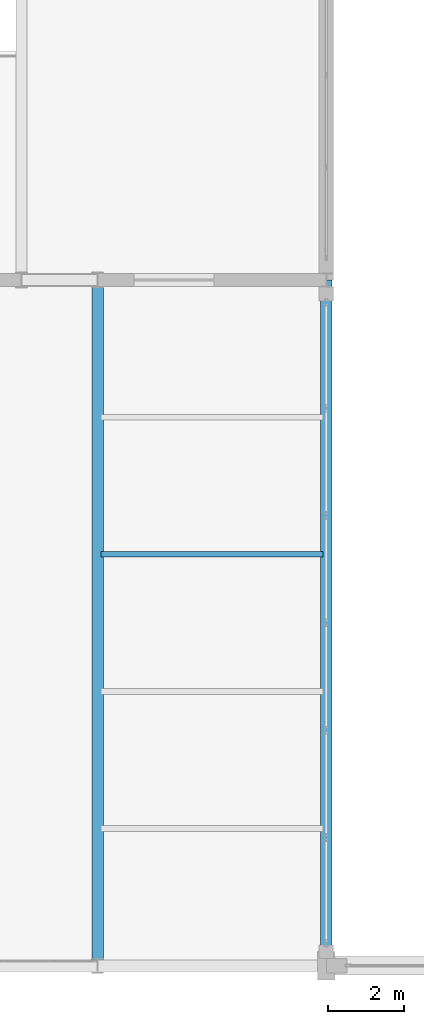
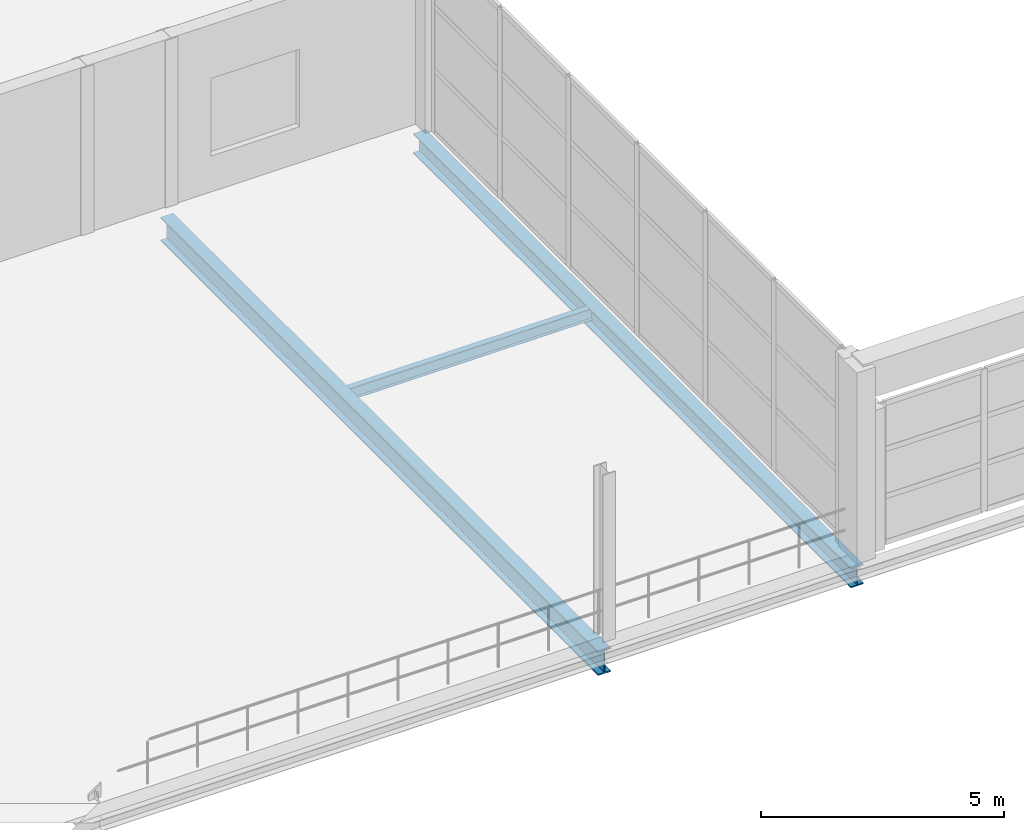
# One storey, part 39 of 147: 3 beams.
"""IFC4 building model written with IfcOpenShell, lengths in metres."""

import ifcopenshell
import ifcopenshell.guid

model = None  # the IFC model being written
_history = None  # IfcOwnerHistory: only IFC2X3 demands one
_inside = {}  # id of a spatial element -> (the spatial element, [elements in it])
_under = {}  # id of a project, library or spatial element -> (it, [spatial elements below it])
_declared = {}  # id of a project -> (the project, [libraries it declares])
_typed = {}  # id of a type object -> (the type object, [elements of that type])
_made_of = {}  # id of a material, layer set ... -> (it, [elements and type objects made of it])


def new_model(schema):
    """Start an empty IFC model of exactly this schema.

    Asked for "IFC4X3", IfcOpenShell would pick the latest addendum, in which some entities
    have other attributes; the version numbers below select the first issue.
    IFC2X3 requires an IfcOwnerHistory on every rooted entity: one is made here for all.
    """
    global model, _history
    if schema == "IFC4X3":
        model = ifcopenshell.file(schema_version=(4, 3, 0, 0))
    else:
        model = ifcopenshell.file(schema=schema)
    _inside.clear()
    _under.clear()
    _declared.clear()
    _typed.clear()
    _made_of.clear()
    _history = None
    if model.schema == "IFC2X3":
        org = make("IfcOrganization", Name="unknown")
        user = make(
            "IfcPersonAndOrganization",
            ThePerson=make("IfcPerson", FamilyName="unknown"),
            TheOrganization=org,
        )
        app = make(
            "IfcApplication",
            ApplicationDeveloper=org,
            Version="unknown",
            ApplicationFullName="unknown",
            ApplicationIdentifier="unknown",
        )
        _history = make(
            "IfcOwnerHistory",
            OwningUser=user,
            OwningApplication=app,
            ChangeAction="ADDED",
            CreationDate=0,
        )
    return model


def make(cls, **values):
    """One entity of the class cls with the attributes given. An attribute that is None is left unset."""
    return model.create_entity(
        cls, **{name: value for name, value in values.items() if value is not None}
    )


def rooted(cls, **values):
    """An entity with a GlobalId (a new one), such as an element, a storey or a relation."""
    return make(cls, GlobalId=ifcopenshell.guid.new(), OwnerHistory=_history, **values)


def si_unit(unit_type, name, prefix=None):
    """IfcSIUnit, for example si_unit("LENGTHUNIT", "METRE", prefix="MILLI")."""
    return make("IfcSIUnit", UnitType=unit_type, Prefix=prefix, Name=name)


def assignment(units):
    """IfcUnitAssignment: the units of a project."""
    return None if units is None else make("IfcUnitAssignment", Units=units)


def point(xyz):
    """IfcCartesianPoint."""
    return None if xyz is None else make("IfcCartesianPoint", Coordinates=xyz)


def direction(xyz):
    """IfcDirection."""
    return None if xyz is None else make("IfcDirection", DirectionRatios=xyz)


def frame(location, z_axis=None, x_axis=None):
    """IfcAxis2Placement3D, a coordinate frame: its origin and axes. An axis left out is left unset."""
    return make(
        "IfcAxis2Placement3D",
        Location=point(location),
        Axis=direction(z_axis),
        RefDirection=direction(x_axis),
    )


def frame_2d(location, x_axis=None):
    """IfcAxis2Placement2D, a coordinate frame in the plane: its origin and x axis."""
    return make(
        "IfcAxis2Placement2D", Location=point(location), RefDirection=direction(x_axis)
    )


def origin():
    """The frame at (0, 0, 0) with its axes left unset."""
    return frame((0.0, 0.0, 0.0))


def origin_2d():
    """The frame at (0, 0) in the plane with its x axis left unset."""
    return frame_2d((0.0, 0.0))


def place(relative_to, where):
    """IfcLocalPlacement: puts the frame where relative to a parent placement (None: the world)."""
    return make(
        "IfcLocalPlacement", PlacementRelTo=relative_to, RelativePlacement=where
    )


def context(
    kind, dimensions, precision=None, world=None, true_north=None, identifier=None
):
    """IfcGeometricRepresentationContext, for example the 3D "Model" context."""
    return make(
        "IfcGeometricRepresentationContext",
        ContextIdentifier=identifier,
        ContextType=kind,
        CoordinateSpaceDimension=dimensions,
        Precision=precision,
        WorldCoordinateSystem=world,
        TrueNorth=true_north,
    )


def subcontext(parent, identifier, kind, view, scale=None):
    """IfcGeometricRepresentationSubContext, for example "Body" below "Model"."""
    return make(
        "IfcGeometricRepresentationSubContext",
        ContextIdentifier=identifier,
        ContextType=kind,
        ParentContext=parent,
        TargetScale=scale,
        TargetView=view,
    )


def project(units=None, contexts=None):
    """IfcProject with its units and contexts."""
    return rooted(
        "IfcProject",
        Name="project",
        RepresentationContexts=contexts,
        UnitsInContext=assignment(units),
    )


def spatial(cls, under=None, at=None, **own):
    """A site, building, storey or space (cls), placed at a placement, below another one or the project."""
    s = rooted(cls, ObjectPlacement=at, **own)
    if under is not None:
        _under.setdefault(under.id(), (under, []))[1].append(s)
    return s


def profile(cls, at=None, kind="AREA", **sizes):
    """A parametric profile (cls). Its sizes go by their IFC names, for example OverallWidth=200.0."""
    return make(cls, ProfileType=kind, Position=at, **sizes)


def i_section(**sizes):
    """IfcIShapeProfileDef."""
    return profile("IfcIShapeProfileDef", **sizes)


def extrude(swept, where, along, depth):
    """IfcExtrudedAreaSolid: the profile swept, set in the frame where, extruded along a direction by depth."""
    return make(
        "IfcExtrudedAreaSolid",
        SweptArea=swept,
        Position=where,
        ExtrudedDirection=direction(along),
        Depth=depth,
    )


def shape(context_of_items, identifier, shape_type, items):
    """IfcShapeRepresentation: the items that make up one representation, for example the "Body"."""
    return make(
        "IfcShapeRepresentation",
        ContextOfItems=context_of_items,
        RepresentationIdentifier=identifier,
        RepresentationType=shape_type,
        Items=items,
    )


def material(Name=None, Category=None):
    """IfcMaterial."""
    return make("IfcMaterial", Name=Name, Category=Category)


def material_profile(
    of_material, cross_section, Name=None, Category=None, Priority=None
):
    """IfcMaterialProfile: a cross section and its material."""
    return make(
        "IfcMaterialProfile",
        Name=Name,
        Material=of_material,
        Profile=cross_section,
        Priority=Priority,
        Category=Category,
    )


def profile_set(profiles, Name=None, composite=None):
    """IfcMaterialProfileSet."""
    return make(
        "IfcMaterialProfileSet",
        Name=Name,
        MaterialProfiles=profiles,
        CompositeProfile=composite,
    )


def made_of(thing, what):
    """Note that an element or type object is made of a material, layer set ...; save() writes the relation."""
    if what is not None:
        _made_of.setdefault(what.id(), (what, []))[1].append(thing)
    return thing


def type_object(cls, material=None, **own):
    """A type object (cls), such as IfcWallType, which elements share."""
    return made_of(rooted(cls, **own), material)


def element(
    cls,
    number,
    at=None,
    inside=None,
    cuts=None,
    type_object=None,
    material=None,
    context=None,
    identifier="Body",
    shape_type=None,
    held_by="IfcProductDefinitionShape",
    body=None,
    shapes=None,
    **own,
):
    """One element of the class cls, such as IfcWall. Its Tag is "e" and its number.

    at: its placement. inside: the storey or other place that contains it. cuts: it is an
    opening in that element (IfcRelVoidsElement). A single representation is given by context,
    identifier, shape_type and body (its items); several are given by shapes. held_by: the class
    of the entity that holds the representations. save() writes the other relations.
    """
    e = rooted(cls, Tag="e%d" % number, ObjectPlacement=at, **own)
    if body is not None:
        shapes = [shape(context, identifier, shape_type, body)]
    if shapes is not None:
        e.Representation = make(held_by, Representations=shapes)
    if inside is not None:
        _inside.setdefault(inside.id(), (inside, []))[1].append(e)
    if cuts is not None:
        rooted(
            "IfcRelVoidsElement", RelatingBuildingElement=cuts, RelatedOpeningElement=e
        )
    if type_object is not None:
        _typed.setdefault(type_object.id(), (type_object, []))[1].append(e)
    return made_of(e, material)


def aggregate(whole, parts):
    """IfcRelAggregates: a whole, such as a stair, and the parts it consists of."""
    return rooted("IfcRelAggregates", RelatingObject=whole, RelatedObjects=parts)


def save(model, path):
    """Write the relations noted so far, then the file.

    IfcRelAggregates (storeys below a building ...), IfcRelContainedInSpatialStructure (elements
    in a storey), IfcRelDefinesByType, IfcRelAssociatesMaterial and IfcRelDeclares: one each for
    every whole, place, type object, material and project.
    """
    for whole, parts in _under.values():
        aggregate(whole, parts)
    for where, things in _inside.values():
        rooted(
            "IfcRelContainedInSpatialStructure",
            RelatedElements=things,
            RelatingStructure=where,
        )
    for kind, things in _typed.values():
        rooted("IfcRelDefinesByType", RelatedObjects=things, RelatingType=kind)
    for what, things in _made_of.values():
        rooted("IfcRelAssociatesMaterial", RelatedObjects=things, RelatingMaterial=what)
    for by, libraries in _declared.values():
        rooted("IfcRelDeclares", RelatingContext=by, RelatedDefinitions=libraries)
    model.write(path)


model = new_model("IFC4")

# Units and contexts
model_context = context("Model", 3, precision=1e-05, world=origin(), true_north=direction((0.0, 1.0)))
body_context = subcontext(model_context, "Body", "Model", "MODEL_VIEW")
ifc_project = project(units=[si_unit("LENGTHUNIT", "METRE"), si_unit("AREAUNIT", "SQUARE_METRE"), si_unit("VOLUMEUNIT", "CUBIC_METRE"), si_unit("PLANEANGLEUNIT", "RADIAN"), si_unit("MASSUNIT", "GRAM", prefix="KILO")], contexts=[model_context])

# Site, building, storey
site_placement = place(None, origin())
site = spatial("IfcSite", under=ifc_project, at=site_placement, CompositionType="ELEMENT")
building_placement = place(site_placement, origin())
building = spatial("IfcBuilding", under=site, at=building_placement, Name="Zilviju Railside Exhibition Hall", CompositionType="ELEMENT")
storey_placement = place(building_placement, frame((0.0, 0.0, 8.39990234375)))
storey = spatial("IfcBuildingStorey", under=building, at=storey_placement, Name="L03", CompositionType="ELEMENT", Elevation=8.39990234375)

# Beams
ifc_material = material(Name="Steel S355J2", Category="steel")
ifc_material_profile_1 = material_profile(ifc_material, i_section(OverallWidth=0.300048828125, OverallDepth=0.5, WebThickness=0.014404296875, FlangeThickness=0.028076171875, at=origin_2d()), Name="HEB 500")
ifc_profile_set_1 = profile_set([ifc_material_profile_1], Name="Steel S355J2")
beam_type_1 = type_object("IfcBeamType", Name="BM-HEB500", PredefinedType="BEAM", material=ifc_profile_set_1)
beam_1_placement = place(storey_placement, frame((78.0, 0.0, -0.599853515625), z_axis=(0.0, 1.0, 0.0), x_axis=(-1.0, 0.0, 0.0)))
element("IfcBeam", 1, at=beam_1_placement, inside=storey, type_object=beam_type_1, Name="Transverse Girder L03 X=78.0 (0.0..18.0)", PredefinedType="BEAM", context=body_context, shape_type="SweptSolid", body=[
    extrude(i_section(OverallWidth=0.300048828125, OverallDepth=0.5, WebThickness=0.014404296875, FlangeThickness=0.028076171875, at=origin_2d()), origin(), (0.0, 0.0, 1.0), 18.0),
])
ifc_material_profile_2 = material_profile(ifc_material, i_section(OverallWidth=0.300048828125, OverallDepth=0.60009765625, WebThickness=0.015380859375, FlangeThickness=0.030029296875, at=origin_2d()), Name="HEB 600")
ifc_profile_set_2 = profile_set([ifc_material_profile_2], Name="Steel S355J2")
beam_type_2 = type_object("IfcBeamType", Name="BM-HEB600", PredefinedType="BEAM", material=ifc_profile_set_2)
beam_2_placement = place(storey_placement, frame((72.0, 0.0, -0.64990234375), z_axis=(0.0, 1.0, 0.0), x_axis=(-1.0, 0.0, 0.0)))
element("IfcBeam", 2, at=beam_2_placement, inside=storey, type_object=beam_type_2, Name="Transverse Girder L03 X=72.0 (0.0..18.0)", PredefinedType="BEAM", context=body_context, shape_type="SweptSolid", body=[
    extrude(i_section(OverallWidth=0.300048828125, OverallDepth=0.60009765625, WebThickness=0.015380859375, FlangeThickness=0.030029296875, at=origin_2d()), origin(), (0.0, 0.0, 1.0), 18.0),
])
ifc_material_profile_3 = material_profile(ifc_material, i_section(OverallWidth=0.14990234375, OverallDepth=0.300048828125, WebThickness=0.007080078125, FlangeThickness=0.0107421875, at=origin_2d()), Name="IPE 300")
ifc_profile_set_3 = profile_set([ifc_material_profile_3], Name="Steel S355J2")
beam_type_3 = type_object("IfcBeamType", Name="BM-IPE300", PredefinedType="JOIST", material=ifc_profile_set_3)
beam_3_placement = place(storey_placement, frame((72.080078125, 10.800048828125, -0.5), z_axis=(1.0, 0.0, 0.0), x_axis=(0.0, 1.0, 0.0)))
element("IfcBeam", 3, at=beam_3_placement, inside=storey, type_object=beam_type_3, Name="Composite Floor Joist L03 Y=10.80 (72.0..78.0)", PredefinedType="JOIST", context=body_context, shape_type="SweptSolid", body=[
    extrude(i_section(OverallWidth=0.14990234375, OverallDepth=0.300048828125, WebThickness=0.007080078125, FlangeThickness=0.0107421875, at=origin_2d()), origin(), (0.0, 0.0, 1.0), 5.83984375),
])

save(model, "model.ifc")
